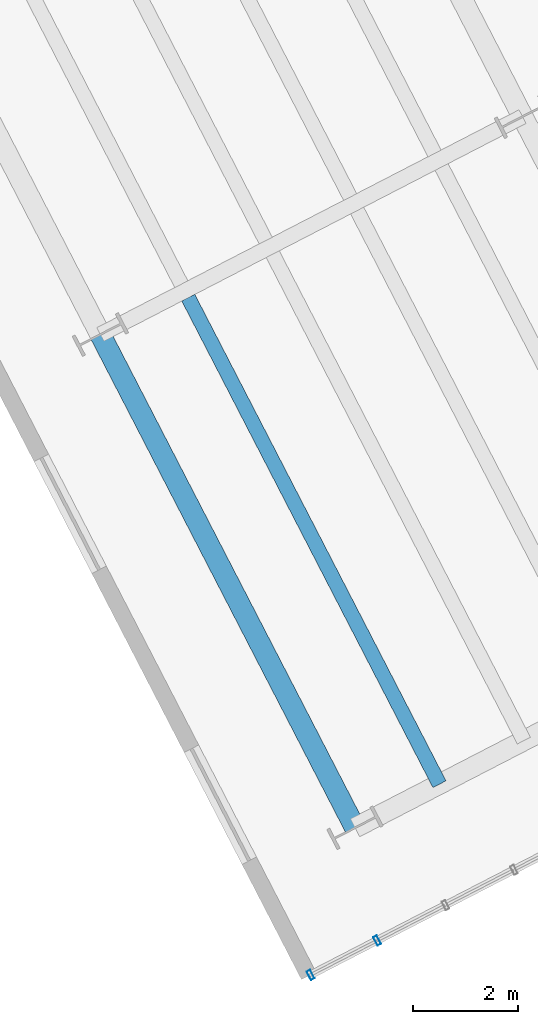
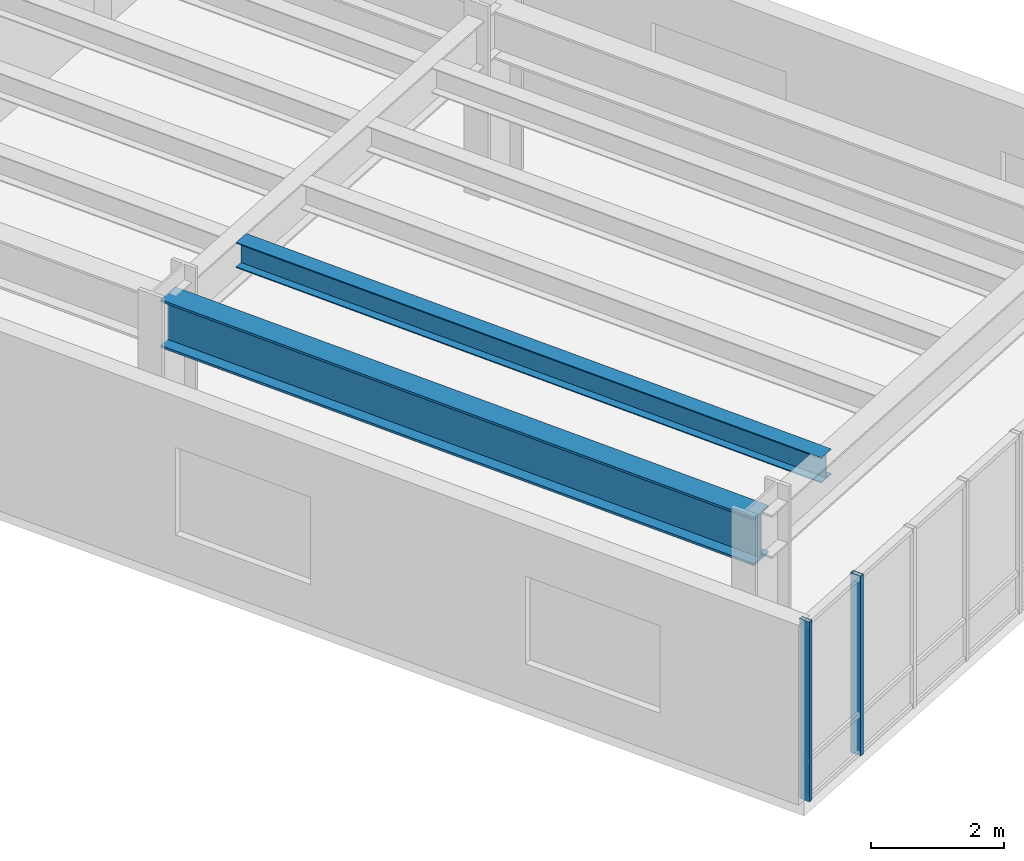
# One storey, part 2 of 11: 2 beams, 2 members, 1 element without a shape of its own.
"""IFC4 building model written with IfcOpenShell, lengths in metres."""

from ifc_helpers import new_model, si_unit, direction, frame, origin, origin_2d, place, context, subcontext, project, spatial, hollow_rectangle, i_section, extrude, material, layer, layer_set, material_profile, profile_set, type_object, element, aggregate, save


model = new_model("IFC4")

# Units and contexts
model_context = context("Model", 3, precision=1e-05, world=origin(), true_north=direction((0.0, 1.0)))
body_context = subcontext(model_context, "Body", "Model", "MODEL_VIEW")
ifc_project = project(units=[si_unit("LENGTHUNIT", "METRE"), si_unit("AREAUNIT", "SQUARE_METRE"), si_unit("VOLUMEUNIT", "CUBIC_METRE"), si_unit("PLANEANGLEUNIT", "RADIAN"), si_unit("MASSUNIT", "GRAM", prefix="KILO"), si_unit("THERMODYNAMICTEMPERATUREUNIT", "KELVIN"), si_unit("POWERUNIT", "WATT")], contexts=[model_context])

# Site, building, storey
site_placement = place(None, origin())
site = spatial("IfcSite", under=ifc_project, at=site_placement, CompositionType="ELEMENT")
building_placement = place(site_placement, origin())
building = spatial("IfcBuilding", under=site, at=building_placement, Name="Skarre Station Tower", CompositionType="ELEMENT")
storey_placement = place(building_placement, frame((0.0, 0.0, 241.89990234375)))
storey = spatial("IfcBuildingStorey", under=building, at=storey_placement, Name="L66", CompositionType="ELEMENT", Elevation=241.89990234375)

# Curtain wall, members
ifc_material_1 = material(Name="Thermally Broken Bronze-Anodized Aluminium & Triple Low-E Glass", Category="aluminium")
ifc_layer = layer(ifc_material_1, 0.2099609375, Name="Thermally Broken Bronze-Anodized Aluminium & Triple Low-E Glass")
ifc_layer_set = layer_set([ifc_layer], Name="Thermally Broken Bronze-Anodized Aluminium & Triple Low-E Glass")
curtain_wall_type = type_object("IfcCurtainWallType", Name="Sky-Bar Prow Structural Glazed Curtain Wall", PredefinedType="NOTDEFINED", material=ifc_layer_set)
curtain_wall_placement = place(storey_placement, origin())
curtain_wall = element("IfcCurtainWall", 1, at=curtain_wall_placement, inside=storey, type_object=curtain_wall_type, Name="L66 SB-5 Lakefront Prow Curtain Wall", PredefinedType="NOTDEFINED")
ifc_material_2 = material(Name="Anodized Aluminium 6063-T6", Category="aluminium")
ifc_material_profile_1 = material_profile(ifc_material_2, hollow_rectangle(XDim=0.074951171875, YDim=0.179931640625, WallThickness=0.00390625, at=origin_2d()), Name="Anodized Aluminium 6063-T6")
ifc_profile_set_1 = profile_set([ifc_material_profile_1], Name="Anodized Aluminium 6063-T6")
member_type = type_object("IfcMemberType", Name="Curtain-Wall Unitised Tower Mullion 180x75", PredefinedType="MULLION", material=ifc_profile_set_1)
member_1_placement = place(storey_placement, frame((46.5439453125, -9.54296875, 0.0), z_axis=(0.0, 0.0, 1.0), x_axis=(-0.888577204547, -0.45872709922, 0.0)))
member_1 = element("IfcMember", 2, at=member_1_placement, type_object=member_type, Name="L66 SB-5 Lakefront Prow Curtain Wall Mullion 9", PredefinedType="MULLION", context=body_context, shape_type="SweptSolid", body=[
    extrude(hollow_rectangle(XDim=0.074951171875, YDim=0.179931640625, WallThickness=0.00390625, at=origin_2d()), origin(), (0.0, 0.0, 1.0), 3.2900390625),
])
member_2_placement = place(storey_placement, frame((45.277099609375, -10.197998046875, 0.0), z_axis=(0.0, 0.0, 1.0), x_axis=(-0.888577204547, -0.45872709922, 0.0)))
member_2 = element("IfcMember", 3, at=member_2_placement, type_object=member_type, Name="L66 SB-5 Lakefront Prow Curtain Wall Mullion 10", PredefinedType="MULLION", context=body_context, shape_type="SweptSolid", body=[
    extrude(hollow_rectangle(XDim=0.074951171875, YDim=0.179931640625, WallThickness=0.00390625, at=origin_2d()), origin(), (0.0, 0.0, 1.0), 3.2900390625),
])
aggregate(curtain_wall, [member_1, member_2])

# Beams
ifc_material_3 = material(Name="Steel ASTM A992 Grade 50", Category="steel")
ifc_material_profile_2 = material_profile(ifc_material_3, i_section(OverallWidth=0.40087890625, OverallDepth=0.876953125, WebThickness=0.02197265625, FlangeThickness=0.0400390625, at=origin_2d()), Name="Steel ASTM A992 Grade 50")
ifc_profile_set_2 = profile_set([ifc_material_profile_2], Name="Steel ASTM A992 Grade 50")
beam_type_1 = type_object("IfcBeamType", Name="Steel Beam W33X263", PredefinedType="BEAM", material=ifc_profile_set_2)
beam_1_placement = place(storey_placement, frame((41.27392578125, 1.9951171875, 2.826171875), z_axis=(0.458761762257, -0.888559308933, 0.0), x_axis=(0.888559308933, 0.458761762257, 0.0)))
element("IfcBeam", 4, at=beam_1_placement, inside=storey, type_object=beam_type_1, Name="L66 SB-5 Side 1 Outer Girder", PredefinedType="BEAM", context=body_context, shape_type="SweptSolid", body=[
    extrude(i_section(OverallWidth=0.40087890625, OverallDepth=0.876953125, WebThickness=0.02197265625, FlangeThickness=0.0400390625, at=origin_2d()), origin(), (0.0, 0.0, 1.0), 10.570068359375),
])
ifc_material_profile_3 = material_profile(ifc_material_3, i_section(OverallWidth=0.280029296875, OverallDepth=0.462890625, WebThickness=0.010986328125, FlangeThickness=0.01708984375, at=origin_2d()), Name="Steel ASTM A992 Grade 50")
ifc_profile_set_3 = profile_set([ifc_material_profile_3], Name="Steel ASTM A992 Grade 50")
beam_type_2 = type_object("IfcBeamType", Name="Steel Joist W18X76", PredefinedType="JOIST", material=ifc_profile_set_3)
beam_2_placement = place(storey_placement, frame((42.947998046875, 2.697021484375, 3.033203125), z_axis=(0.458762809961, -0.888558768004, 0.0), x_axis=(0.888558768004, 0.458762809961, 0.0)))
element("IfcBeam", 5, at=beam_2_placement, inside=storey, type_object=beam_type_2, Name="L66 SB-5 Outer Deck Joist 1", PredefinedType="JOIST", context=body_context, shape_type="SweptSolid", body=[
    extrude(i_section(OverallWidth=0.280029296875, OverallDepth=0.462890625, WebThickness=0.010986328125, FlangeThickness=0.01708984375, at=origin_2d()), origin(), (0.0, 0.0, 1.0), 10.42578125),
])

save(model, "model.ifc")
